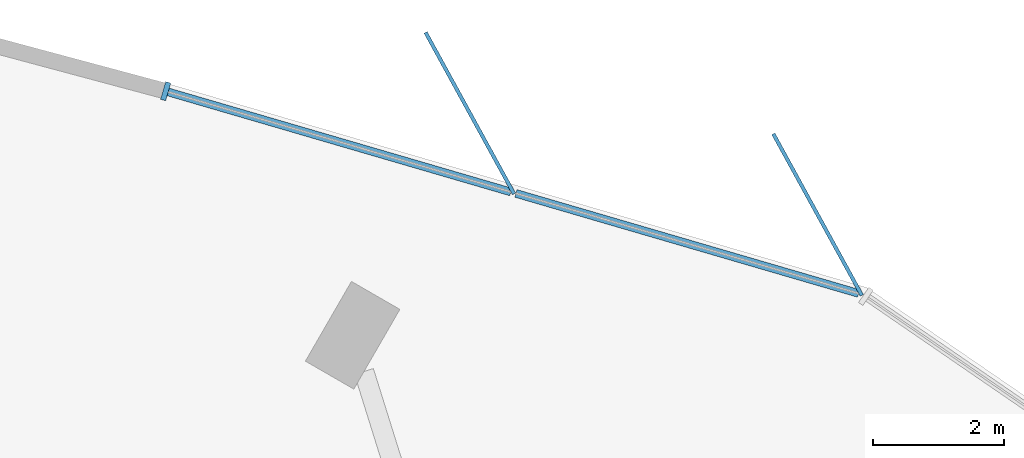
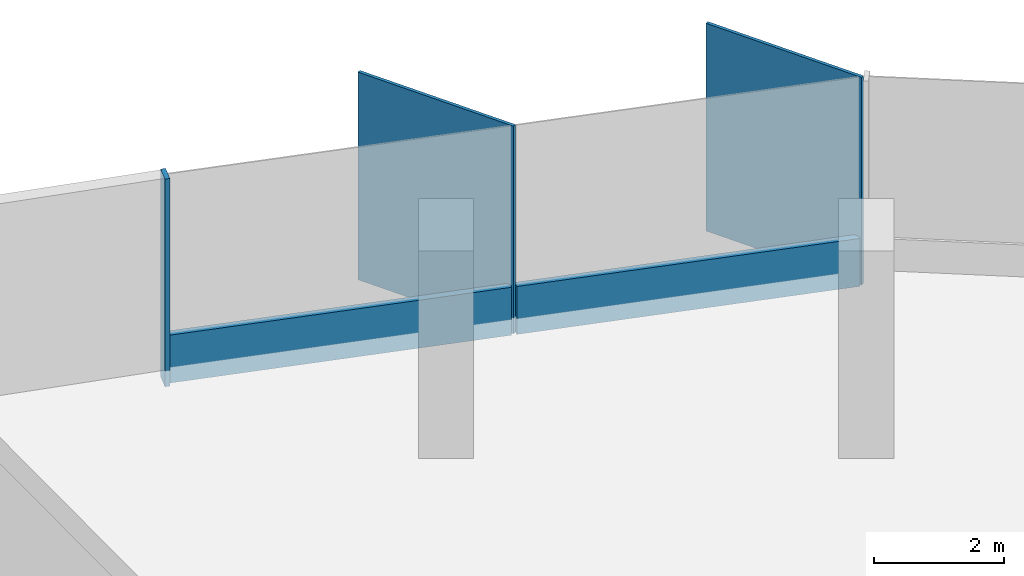
# One storey, part 6 of 14: 5 members, 1 element without a shape of its own.
"""IFC4 building model written with IfcOpenShell, lengths in metres."""

from ifc_helpers import new_model, si_unit, direction, frame, origin, origin_2d, place, context, subcontext, project, spatial, rectangle, extrude, material, material_profile, profile_set, type_object, element, aggregate, save


model = new_model("IFC4")

# Units and contexts
model_context = context("Model", 3, precision=1e-05, world=origin(), true_north=direction((0.0, 1.0)))
body_context = subcontext(model_context, "Body", "Model", "MODEL_VIEW")
ifc_project = project(units=[si_unit("LENGTHUNIT", "METRE"), si_unit("AREAUNIT", "SQUARE_METRE"), si_unit("VOLUMEUNIT", "CUBIC_METRE"), si_unit("PLANEANGLEUNIT", "RADIAN"), si_unit("MASSUNIT", "GRAM", prefix="KILO")], contexts=[model_context])

# Site, building, storey
site_placement = place(None, origin())
site = spatial("IfcSite", under=ifc_project, at=site_placement, CompositionType="ELEMENT")
building_placement = place(site_placement, origin())
building = spatial("IfcBuilding", under=site, at=building_placement, Name="Tanit Gate Tower", CompositionType="ELEMENT")
storey_placement = place(building_placement, frame((0.0, 0.0, 302.60009765625)))
storey = spatial("IfcBuildingStorey", under=building, at=storey_placement, Name="L67", CompositionType="ELEMENT", Elevation=302.60009765625)

# Curtain wall, members
ifc_material_1 = material(Name="Aluminium bronze anodised and glass", Category="aluminium")
curtain_wall_type = type_object("IfcCurtainWallType", Name="Curtain wall typical high", PredefinedType="NOTDEFINED", material=ifc_material_1)
curtain_wall_placement = place(storey_placement, origin())
curtain_wall = element("IfcCurtainWall", 1, at=curtain_wall_placement, inside=storey, type_object=curtain_wall_type, Name="Curtain wall L67 NE3", PredefinedType="NOTDEFINED")
ifc_material_2 = material(Name="Aluminium bronze anodised", Category="aluminium")
ifc_material_profile_1 = material_profile(ifc_material_2, rectangle(XDim=2.800048828125, YDim=0.055908203125, at=origin_2d()), Name="56x2800 bronze fin mullion")
ifc_profile_set_1 = profile_set([ifc_material_profile_1], Name="Aluminium bronze anodised")
member_type_1 = type_object("IfcMemberType", Name="FIN MULLION 56x2800 bronze", PredefinedType="MULLION", material=ifc_profile_set_1)
member_1_placement = place(storey_placement, frame((-2.101806640625, 31.19140625, -0.300048828125), z_axis=(0.0, 0.0, 1.0), x_axis=(0.480719064204, -0.87687466682, 0.0)))
member_1 = element("IfcMember", 2, at=member_1_placement, type_object=member_type_1, Name="Fin mullion L67 NE3.1", PredefinedType="MULLION", context=body_context, shape_type="SweptSolid", body=[
    extrude(rectangle(XDim=2.800048828125, YDim=0.055908203125, at=origin_2d()), origin(), (0.0, 0.0, 1.0), 3.89990234375),
])
member_2_placement = place(storey_placement, frame((-7.39208984375, 32.735107421875, -0.300048828125), z_axis=(0.0, 0.0, 1.0), x_axis=(0.480719064204, -0.87687466682, 0.0)))
member_2 = element("IfcMember", 3, at=member_2_placement, type_object=member_type_1, Name="Fin mullion L67 NE3.2", PredefinedType="MULLION", context=body_context, shape_type="SweptSolid", body=[
    extrude(rectangle(XDim=2.800048828125, YDim=0.055908203125, at=origin_2d()), origin(), (0.0, 0.0, 1.0), 3.89990234375),
])
ifc_material_3 = material(Name="Aluminium bronze anodised", Category="aluminium")
ifc_material_profile_2 = material_profile(ifc_material_3, rectangle(XDim=0.280029296875, YDim=0.080078125, at=origin_2d()), Name="80x280 bronze mullion")
ifc_profile_set_2 = profile_set([ifc_material_profile_2], Name="Aluminium bronze anodised")
member_type_2 = type_object("IfcMemberType", Name="Mullion 80x280 typical high", PredefinedType="MULLION", material=ifc_profile_set_2)
member_3_placement = place(storey_placement, frame((-12.01904296875, 33.068603515625, -0.300048828125), z_axis=(0.0, 0.0, 1.0), x_axis=(-0.280124313015, -0.959963733303, 0.0)))
member_3 = element("IfcMember", 4, at=member_3_placement, type_object=member_type_2, Name="Mullion L67 NE3.3", PredefinedType="MULLION", context=body_context, shape_type="SweptSolid", body=[
    extrude(rectangle(XDim=0.280029296875, YDim=0.080078125, at=origin_2d()), origin(), (0.0, 0.0, 1.0), 3.89990234375),
])
ifc_material_4 = material(Name="Aluminium bronze anodised", Category="aluminium")
ifc_material_profile_3 = material_profile(ifc_material_4, rectangle(XDim=0.1201171875, YDim=0.89990234375, at=origin_2d()), Name="120x900 bronze transom")
ifc_profile_set_3 = profile_set([ifc_material_profile_3], Name="Aluminium bronze anodised")
member_type_3 = type_object("IfcMemberType", Name="Transom 120x900 typical high", PredefinedType="USERDEFINED", material=ifc_profile_set_3)
member_4_placement = place(storey_placement, frame((-1.4765625, 29.9921875, 0.14990234375), z_axis=(-0.959961729217, 0.280131180768, 0.0), x_axis=(-0.280131180768, -0.959961729217, 0.0)))
member_4 = element("IfcMember", 5, at=member_4_placement, type_object=member_type_3, Name="Transom L67 NE3.1", ObjectType="TRANSOM", PredefinedType="USERDEFINED", context=body_context, shape_type="SweptSolid", body=[
    extrude(rectangle(XDim=0.1201171875, YDim=0.89990234375, at=origin_2d()), origin(), (0.0, 0.0, 1.0), 5.431396484375),
])
member_5_placement = place(storey_placement, frame((-6.76708984375, 31.5361328125, 0.14990234375), z_axis=(-0.959970289687, 0.280101843832, 0.0), x_axis=(-0.280101843832, -0.959970289687, 0.0)))
member_5 = element("IfcMember", 6, at=member_5_placement, type_object=member_type_3, Name="Transom L67 NE3.2", ObjectType="TRANSOM", PredefinedType="USERDEFINED", context=body_context, shape_type="SweptSolid", body=[
    extrude(rectangle(XDim=0.1201171875, YDim=0.89990234375, at=origin_2d()), origin(), (0.0, 0.0, 1.0), 5.430908203125),
])
aggregate(curtain_wall, [member_1, member_2, member_3, member_4, member_5])

save(model, "model.ifc")
